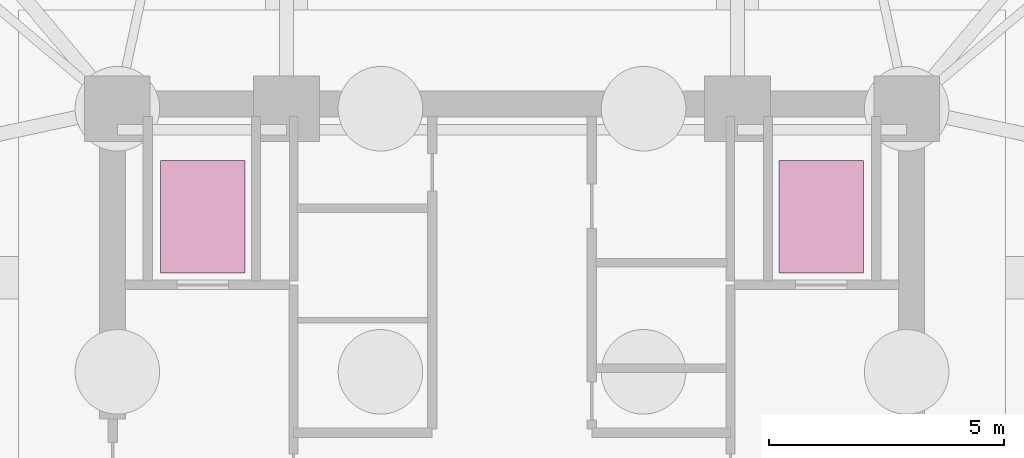
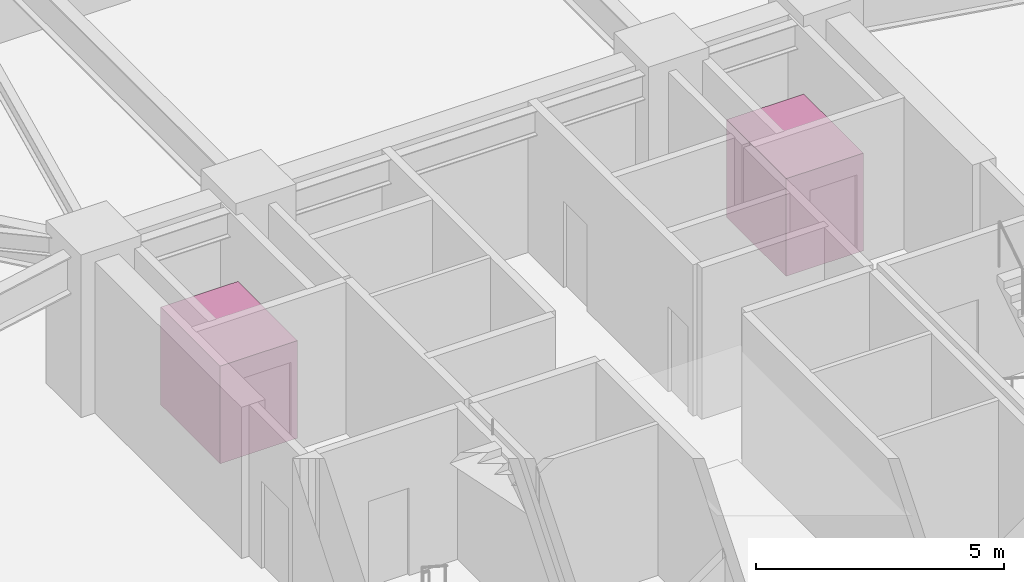
# One storey, part 10 of 10: 2 transport elements.
"""IFC4 building model written with IfcOpenShell, lengths in metres."""

from ifc_helpers import new_model, si_unit, direction, frame, origin, origin_2d, place, context, subcontext, project, spatial, rectangle, extrude, material, type_object, element, save


model = new_model("IFC4")

# Units and contexts
model_context = context("Model", 3, precision=1e-05, world=origin(), true_north=direction((0.0, 1.0)))
body_context = subcontext(model_context, "Body", "Model", "MODEL_VIEW")
ifc_project = project(units=[si_unit("LENGTHUNIT", "METRE"), si_unit("AREAUNIT", "SQUARE_METRE"), si_unit("VOLUMEUNIT", "CUBIC_METRE"), si_unit("PLANEANGLEUNIT", "RADIAN"), si_unit("MASSUNIT", "GRAM", prefix="KILO")], contexts=[model_context])

# Site, building, storey
site_placement = place(None, origin())
site = spatial("IfcSite", under=ifc_project, at=site_placement, CompositionType="ELEMENT")
building_placement = place(site_placement, origin())
building = spatial("IfcBuilding", under=site, at=building_placement, Name="Cairnveth Concourse Tower", CompositionType="ELEMENT")
storey_placement = place(building_placement, frame((0.0, 0.0, -8.0)))
storey = spatial("IfcBuildingStorey", under=building, at=storey_placement, Name="B02", CompositionType="ELEMENT", Elevation=-8.0)

# Transport elements
ifc_material = material(Name="Architectural Bronze Anodised Aluminium 6063-T6", Category="aluminium")
transport_element_type = type_object("IfcTransportElementType", Name="EMERGENCY FIREFIGHTING ELEVATOR 2000KG", PredefinedType="ELEVATOR", material=ifc_material)
for number, where, z_axis, x_axis, name in (
    (1, (45.419921875, 45.10009765625, 0.0), (0.0, 0.0, 1.0), (1.0, 0.0, 0.0), "Elevator Car FFL1 (Emergency)"),
    (2, (58.580078125, 45.10009765625, 0.0), (0.0, 0.0, 1.0), (1.0, 0.0, 0.0), "Elevator Car FFL2 (Emergency)"),
):
    element("IfcTransportElement", number, at=place(storey_placement, frame(where, z_axis=z_axis, x_axis=x_axis)), inside=storey, type_object=transport_element_type, Name=name, PredefinedType="ELEVATOR", context=body_context, shape_type="SweptSolid", body=[
        extrude(rectangle(XDim=1.800048828125, YDim=2.39990234375, at=origin_2d()), origin(), (0.0, 0.0, 1.0), 2.39990234375),
    ])

save(model, "model.ifc")
